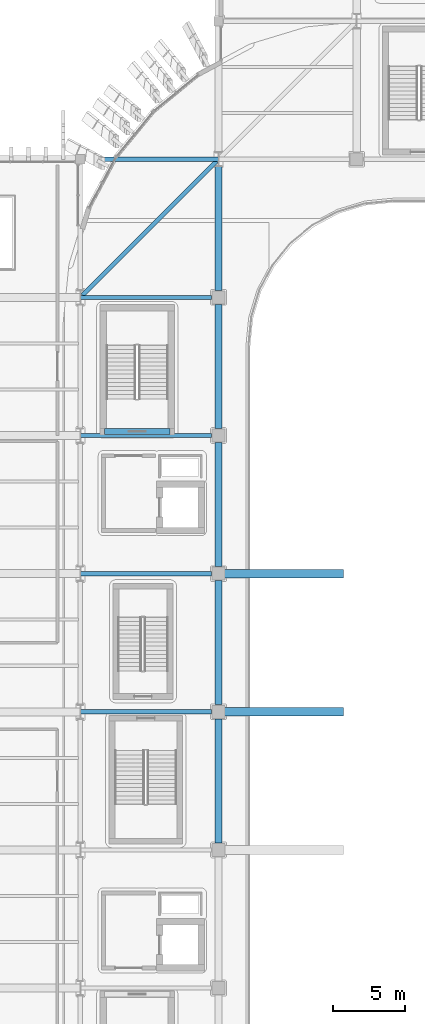
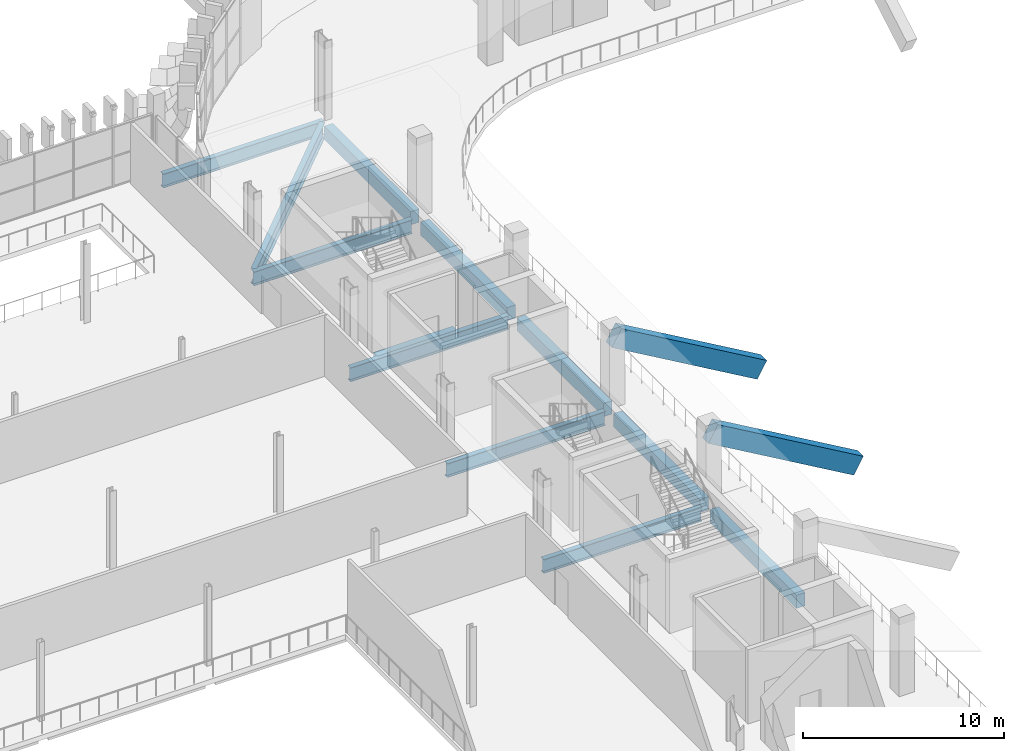
# One storey, part 27 of 100: 14 beams.
"""IFC4 building model written with IfcOpenShell, lengths in metres."""

import ifcopenshell
import ifcopenshell.guid

model = None  # the IFC model being written
_history = None  # IfcOwnerHistory: only IFC2X3 demands one
_inside = {}  # id of a spatial element -> (the spatial element, [elements in it])
_under = {}  # id of a project, library or spatial element -> (it, [spatial elements below it])
_declared = {}  # id of a project -> (the project, [libraries it declares])
_typed = {}  # id of a type object -> (the type object, [elements of that type])
_made_of = {}  # id of a material, layer set ... -> (it, [elements and type objects made of it])


def new_model(schema):
    """Start an empty IFC model of exactly this schema.

    Asked for "IFC4X3", IfcOpenShell would pick the latest addendum, in which some entities
    have other attributes; the version numbers below select the first issue.
    IFC2X3 requires an IfcOwnerHistory on every rooted entity: one is made here for all.
    """
    global model, _history
    if schema == "IFC4X3":
        model = ifcopenshell.file(schema_version=(4, 3, 0, 0))
    else:
        model = ifcopenshell.file(schema=schema)
    _inside.clear()
    _under.clear()
    _declared.clear()
    _typed.clear()
    _made_of.clear()
    _history = None
    if model.schema == "IFC2X3":
        org = make("IfcOrganization", Name="unknown")
        user = make(
            "IfcPersonAndOrganization",
            ThePerson=make("IfcPerson", FamilyName="unknown"),
            TheOrganization=org,
        )
        app = make(
            "IfcApplication",
            ApplicationDeveloper=org,
            Version="unknown",
            ApplicationFullName="unknown",
            ApplicationIdentifier="unknown",
        )
        _history = make(
            "IfcOwnerHistory",
            OwningUser=user,
            OwningApplication=app,
            ChangeAction="ADDED",
            CreationDate=0,
        )
    return model


def make(cls, **values):
    """One entity of the class cls with the attributes given. An attribute that is None is left unset."""
    return model.create_entity(
        cls, **{name: value for name, value in values.items() if value is not None}
    )


def rooted(cls, **values):
    """An entity with a GlobalId (a new one), such as an element, a storey or a relation."""
    return make(cls, GlobalId=ifcopenshell.guid.new(), OwnerHistory=_history, **values)


def si_unit(unit_type, name, prefix=None):
    """IfcSIUnit, for example si_unit("LENGTHUNIT", "METRE", prefix="MILLI")."""
    return make("IfcSIUnit", UnitType=unit_type, Prefix=prefix, Name=name)


def assignment(units):
    """IfcUnitAssignment: the units of a project."""
    return None if units is None else make("IfcUnitAssignment", Units=units)


def point(xyz):
    """IfcCartesianPoint."""
    return None if xyz is None else make("IfcCartesianPoint", Coordinates=xyz)


def direction(xyz):
    """IfcDirection."""
    return None if xyz is None else make("IfcDirection", DirectionRatios=xyz)


def frame(location, z_axis=None, x_axis=None):
    """IfcAxis2Placement3D, a coordinate frame: its origin and axes. An axis left out is left unset."""
    return make(
        "IfcAxis2Placement3D",
        Location=point(location),
        Axis=direction(z_axis),
        RefDirection=direction(x_axis),
    )


def frame_2d(location, x_axis=None):
    """IfcAxis2Placement2D, a coordinate frame in the plane: its origin and x axis."""
    return make(
        "IfcAxis2Placement2D", Location=point(location), RefDirection=direction(x_axis)
    )


def origin():
    """The frame at (0, 0, 0) with its axes left unset."""
    return frame((0.0, 0.0, 0.0))


def origin_2d():
    """The frame at (0, 0) in the plane with its x axis left unset."""
    return frame_2d((0.0, 0.0))


def place(relative_to, where):
    """IfcLocalPlacement: puts the frame where relative to a parent placement (None: the world)."""
    return make(
        "IfcLocalPlacement", PlacementRelTo=relative_to, RelativePlacement=where
    )


def context(
    kind, dimensions, precision=None, world=None, true_north=None, identifier=None
):
    """IfcGeometricRepresentationContext, for example the 3D "Model" context."""
    return make(
        "IfcGeometricRepresentationContext",
        ContextIdentifier=identifier,
        ContextType=kind,
        CoordinateSpaceDimension=dimensions,
        Precision=precision,
        WorldCoordinateSystem=world,
        TrueNorth=true_north,
    )


def subcontext(parent, identifier, kind, view, scale=None):
    """IfcGeometricRepresentationSubContext, for example "Body" below "Model"."""
    return make(
        "IfcGeometricRepresentationSubContext",
        ContextIdentifier=identifier,
        ContextType=kind,
        ParentContext=parent,
        TargetScale=scale,
        TargetView=view,
    )


def project(units=None, contexts=None):
    """IfcProject with its units and contexts."""
    return rooted(
        "IfcProject",
        Name="project",
        RepresentationContexts=contexts,
        UnitsInContext=assignment(units),
    )


def spatial(cls, under=None, at=None, **own):
    """A site, building, storey or space (cls), placed at a placement, below another one or the project."""
    s = rooted(cls, ObjectPlacement=at, **own)
    if under is not None:
        _under.setdefault(under.id(), (under, []))[1].append(s)
    return s


def profile(cls, at=None, kind="AREA", **sizes):
    """A parametric profile (cls). Its sizes go by their IFC names, for example OverallWidth=200.0."""
    return make(cls, ProfileType=kind, Position=at, **sizes)


def rectangle(**sizes):
    """IfcRectangleProfileDef."""
    return profile("IfcRectangleProfileDef", **sizes)


def i_section(**sizes):
    """IfcIShapeProfileDef."""
    return profile("IfcIShapeProfileDef", **sizes)


def extrude(swept, where, along, depth):
    """IfcExtrudedAreaSolid: the profile swept, set in the frame where, extruded along a direction by depth."""
    return make(
        "IfcExtrudedAreaSolid",
        SweptArea=swept,
        Position=where,
        ExtrudedDirection=direction(along),
        Depth=depth,
    )


def shape(context_of_items, identifier, shape_type, items):
    """IfcShapeRepresentation: the items that make up one representation, for example the "Body"."""
    return make(
        "IfcShapeRepresentation",
        ContextOfItems=context_of_items,
        RepresentationIdentifier=identifier,
        RepresentationType=shape_type,
        Items=items,
    )


def material(Name=None, Category=None):
    """IfcMaterial."""
    return make("IfcMaterial", Name=Name, Category=Category)


def material_profile(
    of_material, cross_section, Name=None, Category=None, Priority=None
):
    """IfcMaterialProfile: a cross section and its material."""
    return make(
        "IfcMaterialProfile",
        Name=Name,
        Material=of_material,
        Profile=cross_section,
        Priority=Priority,
        Category=Category,
    )


def profile_set(profiles, Name=None, composite=None):
    """IfcMaterialProfileSet."""
    return make(
        "IfcMaterialProfileSet",
        Name=Name,
        MaterialProfiles=profiles,
        CompositeProfile=composite,
    )


def made_of(thing, what):
    """Note that an element or type object is made of a material, layer set ...; save() writes the relation."""
    if what is not None:
        _made_of.setdefault(what.id(), (what, []))[1].append(thing)
    return thing


def type_object(cls, material=None, **own):
    """A type object (cls), such as IfcWallType, which elements share."""
    return made_of(rooted(cls, **own), material)


def element(
    cls,
    number,
    at=None,
    inside=None,
    cuts=None,
    type_object=None,
    material=None,
    context=None,
    identifier="Body",
    shape_type=None,
    held_by="IfcProductDefinitionShape",
    body=None,
    shapes=None,
    **own,
):
    """One element of the class cls, such as IfcWall. Its Tag is "e" and its number.

    at: its placement. inside: the storey or other place that contains it. cuts: it is an
    opening in that element (IfcRelVoidsElement). A single representation is given by context,
    identifier, shape_type and body (its items); several are given by shapes. held_by: the class
    of the entity that holds the representations. save() writes the other relations.
    """
    e = rooted(cls, Tag="e%d" % number, ObjectPlacement=at, **own)
    if body is not None:
        shapes = [shape(context, identifier, shape_type, body)]
    if shapes is not None:
        e.Representation = make(held_by, Representations=shapes)
    if inside is not None:
        _inside.setdefault(inside.id(), (inside, []))[1].append(e)
    if cuts is not None:
        rooted(
            "IfcRelVoidsElement", RelatingBuildingElement=cuts, RelatedOpeningElement=e
        )
    if type_object is not None:
        _typed.setdefault(type_object.id(), (type_object, []))[1].append(e)
    return made_of(e, material)


def aggregate(whole, parts):
    """IfcRelAggregates: a whole, such as a stair, and the parts it consists of."""
    return rooted("IfcRelAggregates", RelatingObject=whole, RelatedObjects=parts)


def save(model, path):
    """Write the relations noted so far, then the file.

    IfcRelAggregates (storeys below a building ...), IfcRelContainedInSpatialStructure (elements
    in a storey), IfcRelDefinesByType, IfcRelAssociatesMaterial and IfcRelDeclares: one each for
    every whole, place, type object, material and project.
    """
    for whole, parts in _under.values():
        aggregate(whole, parts)
    for where, things in _inside.values():
        rooted(
            "IfcRelContainedInSpatialStructure",
            RelatedElements=things,
            RelatingStructure=where,
        )
    for kind, things in _typed.values():
        rooted("IfcRelDefinesByType", RelatedObjects=things, RelatingType=kind)
    for what, things in _made_of.values():
        rooted("IfcRelAssociatesMaterial", RelatedObjects=things, RelatingMaterial=what)
    for by, libraries in _declared.values():
        rooted("IfcRelDeclares", RelatingContext=by, RelatedDefinitions=libraries)
    model.write(path)


model = new_model("IFC4")

# Units and contexts
model_context = context("Model", 3, precision=1e-05, world=origin(), true_north=direction((0.0, 1.0)))
body_context = subcontext(model_context, "Body", "Model", "MODEL_VIEW")
ifc_project = project(units=[si_unit("LENGTHUNIT", "METRE"), si_unit("AREAUNIT", "SQUARE_METRE"), si_unit("VOLUMEUNIT", "CUBIC_METRE"), si_unit("PLANEANGLEUNIT", "RADIAN"), si_unit("MASSUNIT", "GRAM", prefix="KILO")], contexts=[model_context])

# Site, building, storey
site_placement = place(None, origin())
site = spatial("IfcSite", under=ifc_project, at=site_placement, CompositionType="ELEMENT")
building_placement = place(site_placement, origin())
building = spatial("IfcBuilding", under=site, at=building_placement, Name="Caelomonte Colonnade Arena", CompositionType="ELEMENT")
storey_placement = place(building_placement, origin())
storey = spatial("IfcBuildingStorey", under=building, at=storey_placement, Name="L00", CompositionType="ELEMENT", Elevation=0.0)

# Beams
ifc_material_1 = material(Name="Wide-flange steel ASTM A992 Grade 50", Category="steel")
ifc_material_profile_1 = material_profile(ifc_material_1, i_section(OverallWidth=0.307861328125, OverallDepth=0.927001953125, WebThickness=0.019287109375, FlangeThickness=0.031982421875, FilletRadius=0.020263671875, at=origin_2d()), Name="W36X194")
ifc_profile_set_1 = profile_set([ifc_material_profile_1], Name="Wide-flange steel ASTM A992 Grade 50")
beam_type_1 = type_object("IfcBeamType", Name="STR-BM-EAVES2", PredefinedType="SPANDREL", material=ifc_profile_set_1)
beam_1_placement = place(storey_placement, frame((67.0546875, 105.45458984375, -0.763427734375), z_axis=(-0.707106781187, -0.707106781187, 0.0), x_axis=(0.707106781187, -0.707106781187, 0.0)))
element("IfcBeam", 1, at=beam_1_placement, inside=storey, type_object=beam_type_1, Name="L00 drum corner ring girder 8", PredefinedType="SPANDREL", context=body_context, shape_type="SweptSolid", body=[
    extrude(i_section(OverallWidth=0.307861328125, OverallDepth=0.927001953125, WebThickness=0.019287109375, FlangeThickness=0.031982421875, FilletRadius=0.020263671875, at=origin_2d()), origin(), (0.0, 0.0, 1.0), 13.165283203125),
])
ifc_material_profile_2 = material_profile(ifc_material_1, i_section(OverallWidth=0.2919921875, OverallDepth=0.845703125, WebThickness=0.015380859375, FlangeThickness=0.0244140625, FilletRadius=0.017822265625, at=origin_2d()), Name="W33X141")
ifc_profile_set_2 = profile_set([ifc_material_profile_2], Name="Wide-flange steel ASTM A992 Grade 50")
beam_type_2 = type_object("IfcBeamType", Name="STR-BM-GIRD33", PredefinedType="BEAM", material=ifc_profile_set_2)
for number, where, z_axis, x_axis, name in (
    (2, (57.615478515625, 67.199951171875, -0.722900390625), (1.0, 0.0, 0.0), (0.0, 1.0, 0.0), "L00 girder BMX-L00-0576-0672"),
    (3, (57.615478515625, 76.800048828125, -0.722900390625), (1.0, 0.0, 0.0), (0.0, 1.0, 0.0), "L00 girder BMX-L00-0576-0768"),
    (4, (57.615478515625, 86.39990234375, -0.722900390625), (1.0, 0.0, 0.0), (0.0, 1.0, 0.0), "L00 girder BMX-L00-0576-0864"),
    (5, (57.615478515625, 96.0, -0.722900390625), (1.0, 0.0, 0.0), (0.0, 1.0, 0.0), "L00 girder BMX-L00-0576-0960"),
):
    element("IfcBeam", number, at=place(storey_placement, frame(where, z_axis=z_axis, x_axis=x_axis)), inside=storey, type_object=beam_type_2, Name=name, PredefinedType="BEAM", context=body_context, shape_type="SweptSolid", body=[
        extrude(i_section(OverallWidth=0.2919921875, OverallDepth=0.845703125, WebThickness=0.015380859375, FlangeThickness=0.0244140625, FilletRadius=0.017822265625, at=origin_2d()), origin(), (0.0, 0.0, 1.0), 9.092529296875),
    ])
beam_2_placement = place(storey_placement, frame((57.94189453125, 105.60009765625, -0.722900390625), z_axis=(1.0, 0.0, 0.0), x_axis=(0.0, 1.0, 0.0)))
element("IfcBeam", 6, at=beam_2_placement, inside=storey, type_object=beam_type_2, Name="L00 girder BMX-L00-0576-1056", PredefinedType="BEAM", context=body_context, shape_type="SweptSolid", body=[
    extrude(i_section(OverallWidth=0.2919921875, OverallDepth=0.845703125, WebThickness=0.015380859375, FlangeThickness=0.0244140625, FilletRadius=0.017822265625, at=origin_2d()), origin(), (0.0, 0.0, 1.0), 9.24267578125),
])
ifc_material_2 = material(Name="Concrete C40/50", Category="concrete")
ifc_material_profile_3 = material_profile(ifc_material_2, rectangle(XDim=0.39990234375, YDim=0.64990234375, at=origin_2d()), Name="RC400X650")
ifc_profile_set_3 = profile_set([ifc_material_profile_3], Name="Concrete C40/50")
beam_type_3 = type_object("IfcBeamType", Name="STR-BM-LINT40", PredefinedType="LINTEL", material=ifc_profile_set_3)
beam_3_placement = place(storey_placement, frame((59.27490234375, 86.675048828125, -0.625), z_axis=(1.0, 0.0, 0.0), x_axis=(0.0, 1.0, 0.0)))
element("IfcBeam", 7, at=beam_3_placement, inside=storey, type_object=beam_type_3, Name="Core C4 L00 coupling lintel beam", PredefinedType="LINTEL", context=body_context, shape_type="SweptSolid", body=[
    extrude(rectangle(XDim=0.39990234375, YDim=0.64990234375, at=origin_2d()), origin(), (0.0, 0.0, 1.0), 4.550048828125),
])
ifc_material_profile_4 = material_profile(ifc_material_2, rectangle(XDim=0.5, YDim=0.800048828125, at=origin_2d()), Name="RC500X800")
ifc_profile_set_4 = profile_set([ifc_material_profile_4], Name="Concrete C40/50")
beam_type_4 = type_object("IfcBeamType", Name="STR-BM-RC50", PredefinedType="BEAM", material=ifc_profile_set_4)
beam_4_placement = place(storey_placement, frame((67.199951171875, 58.092041015625, -0.699951171875), z_axis=(0.0, 1.0, 0.0), x_axis=(-1.0, 0.0, 0.0)))
element("IfcBeam", 8, at=beam_4_placement, inside=storey, type_object=beam_type_4, Name="L00 girder BMY-L00-0672-0576", PredefinedType="BEAM", context=body_context, shape_type="SweptSolid", body=[
    extrude(rectangle(XDim=0.5, YDim=0.800048828125, at=origin_2d()), origin(), (0.0, 0.0, 1.0), 8.615966796875),
])
beam_5_placement = place(storey_placement, frame((67.199951171875, 67.69189453125, -0.699951171875), z_axis=(0.0, 1.0, 0.0), x_axis=(-1.0, 0.0, 0.0)))
element("IfcBeam", 9, at=beam_5_placement, inside=storey, type_object=beam_type_4, Name="L00 girder BMY-L00-0672-0672", PredefinedType="BEAM", context=body_context, shape_type="SweptSolid", body=[
    extrude(rectangle(XDim=0.5, YDim=0.800048828125, at=origin_2d()), origin(), (0.0, 0.0, 1.0), 8.6162109375),
])
for number, where, z_axis, x_axis, name in (
    (10, (67.199951171875, 77.2919921875, -0.699951171875), (0.0, 1.0, 0.0), (-1.0, 0.0, 0.0), "L00 girder BMY-L00-0672-0768"),
    (11, (67.199951171875, 86.89208984375, -0.699951171875), (0.0, 1.0, 0.0), (-1.0, 0.0, 0.0), "L00 girder BMY-L00-0672-0864"),
):
    element("IfcBeam", number, at=place(storey_placement, frame(where, z_axis=z_axis, x_axis=x_axis)), inside=storey, type_object=beam_type_4, Name=name, PredefinedType="BEAM", context=body_context, shape_type="SweptSolid", body=[
        extrude(rectangle(XDim=0.5, YDim=0.800048828125, at=origin_2d()), origin(), (0.0, 0.0, 1.0), 8.615966796875),
    ])
beam_6_placement = place(storey_placement, frame((67.199951171875, 96.491943359375, -0.699951171875), z_axis=(0.0, 1.0, 0.0), x_axis=(-1.0, 0.0, 0.0)))
element("IfcBeam", 12, at=beam_6_placement, inside=storey, type_object=beam_type_4, Name="L00 girder BMY-L00-0672-0960", PredefinedType="BEAM", context=body_context, shape_type="SweptSolid", body=[
    extrude(rectangle(XDim=0.5, YDim=0.800048828125, at=origin_2d()), origin(), (0.0, 0.0, 1.0), 8.595458984375),
])
ifc_material_3 = material(Name="Concrete C50/60", Category="concrete")
ifc_material_profile_5 = material_profile(ifc_material_3, rectangle(XDim=0.60009765625, YDim=1.10009765625, at=origin_2d()), Name="RC600X1100")
ifc_profile_set_5 = profile_set([ifc_material_profile_5], Name="Concrete C50/60")
beam_type_5 = type_object("IfcBeamType", Name="STR-BM-RKL", PredefinedType="USERDEFINED", material=ifc_profile_set_5)
for number, where, z_axis, x_axis, name in (
    (13, (75.60009765625, 67.199951171875, -0.800048828125), (-0.864714565042, 0.0, 0.502263597132), (0.0, -1.0, 0.0), "Lower bowl outer raker girder W-67"),
    (14, (75.60009765625, 76.800048828125, -0.800048828125), (-0.864714565042, 0.0, 0.502263597132), (0.0, -1.0, 0.0), "Lower bowl outer raker girder W-76"),
):
    element("IfcBeam", number, at=place(storey_placement, frame(where, z_axis=z_axis, x_axis=x_axis)), inside=storey, type_object=beam_type_5, Name=name, ObjectType="RAKER", PredefinedType="USERDEFINED", context=body_context, shape_type="SweptSolid", body=[
        extrude(rectangle(XDim=0.60009765625, YDim=1.10009765625, at=origin_2d()), origin(), (0.0, 0.0, 1.0), 9.656494140625),
    ])

save(model, "model.ifc")
